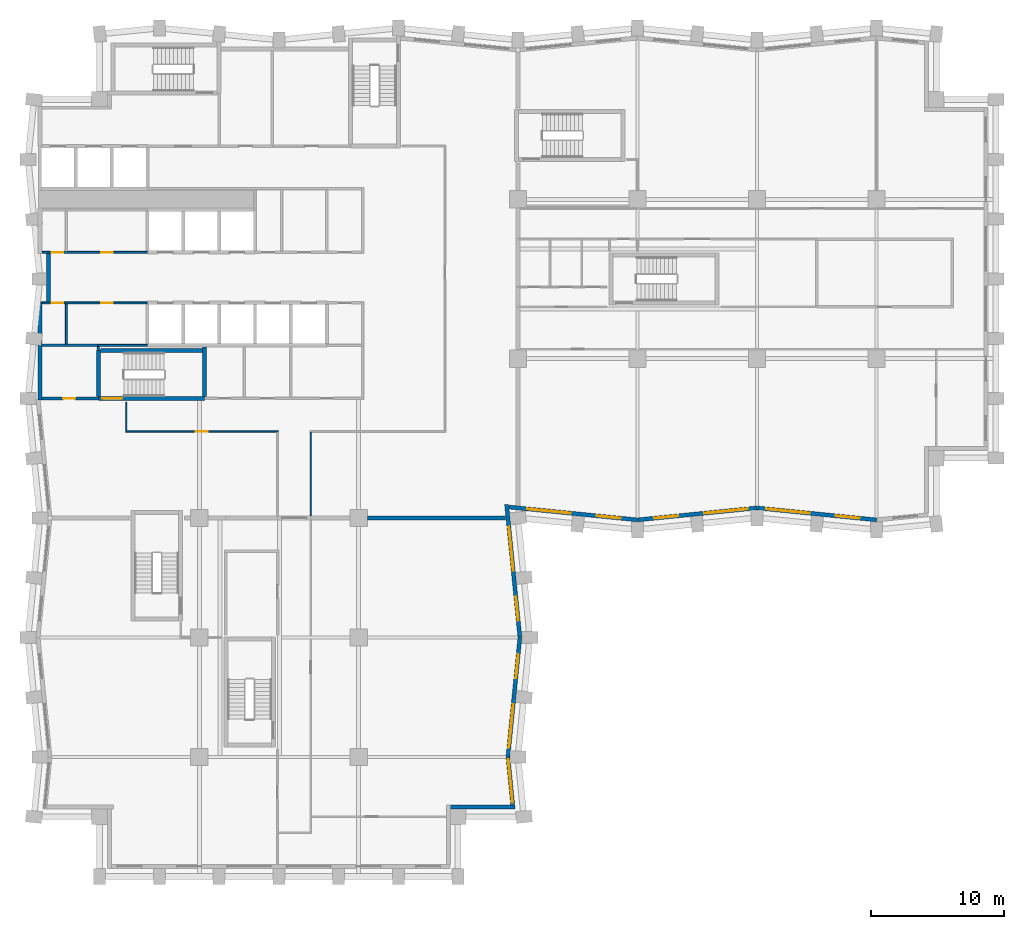
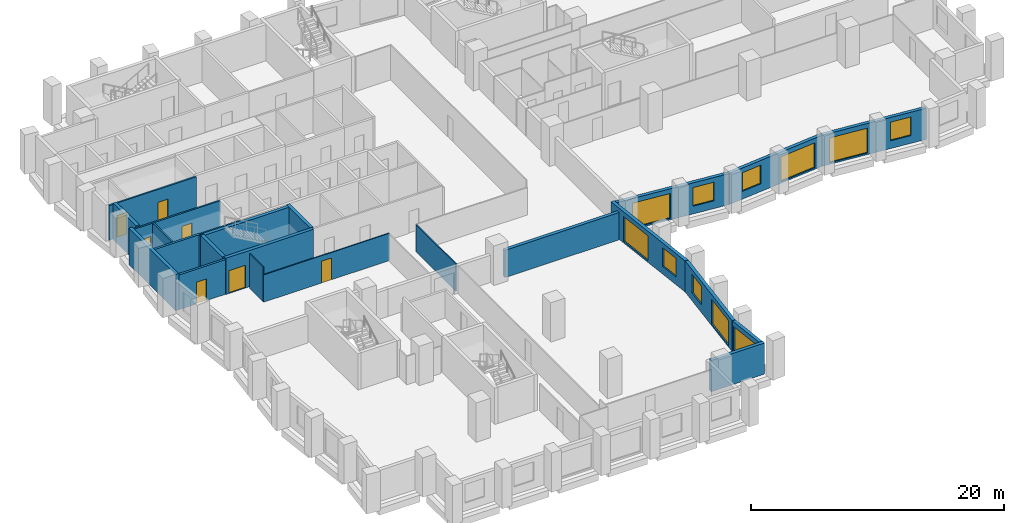
# One storey, part 4 of 11: 24 walls, 11 windows, 7 doors, 18 openings.
"""IFC4 building model written with IfcOpenShell, lengths in metres."""

from ifc_helpers import new_model, si_unit, direction, frame, frame_2d, origin, place, context, subcontext, project, spatial, rectangle, extrude, material, layer, layer_set, type_object, element, fill, save


model = new_model("IFC4")

# Units and contexts
model_context = context("Model", 3, precision=1e-05, world=origin(), true_north=direction((0.0, 1.0)))
body_context = subcontext(model_context, "Body", "Model", "MODEL_VIEW")
ifc_project = project(units=[si_unit("LENGTHUNIT", "METRE"), si_unit("AREAUNIT", "SQUARE_METRE"), si_unit("VOLUMEUNIT", "CUBIC_METRE"), si_unit("PLANEANGLEUNIT", "RADIAN"), si_unit("MASSUNIT", "GRAM", prefix="KILO")], contexts=[model_context])

# Site, building, storey
site_placement = place(None, origin())
site = spatial("IfcSite", under=ifc_project, at=site_placement, CompositionType="ELEMENT")
building_placement = place(site_placement, origin())
building = spatial("IfcBuilding", under=site, at=building_placement, Name="Brondeck Convention Tower", CompositionType="ELEMENT")
storey_placement = place(building_placement, frame((0.0, 0.0, 134.10009765625)))
storey = spatial("IfcBuildingStorey", under=building, at=storey_placement, Name="L32", CompositionType="ELEMENT", Elevation=134.10009765625)

# Walls
ifc_material_1 = material(Name="Concrete compartment wall C30/37", Category="concrete")
ifc_layer_1 = layer(ifc_material_1, 0.300048828125)
ifc_layer_set_1 = layer_set([ifc_layer_1], Name="Compartment wall 300")
wall_type_1 = type_object("IfcWallType", Name="Compartment wall 300", PredefinedType="PARTITIONING", material=ifc_layer_set_1)
wall_1_placement = place(storey_placement, frame((24.655029296875, 27.0, 0.0), z_axis=(0.0, 0.0, 1.0), x_axis=(1.0, 0.0, 0.0)))
element("IfcWall", 1, at=wall_1_placement, inside=storey, type_object=wall_type_1, Name="FLR-L32-W019", PredefinedType="PARTITIONING", context=body_context, shape_type="SweptSolid", body=[
    extrude(rectangle(XDim=10.42041015625, YDim=0.300048828125, at=frame_2d((5.210205078125, 0.0))), origin(), (0.0, 0.0, 1.0), 2.6298828125),
])
ifc_material_2 = material(Name="Concrete C70/85", Category="concrete")
ifc_layer_2 = layer(ifc_material_2, 0.300048828125)
ifc_layer_set_2 = layer_set([ifc_layer_2], Name="Core outer wall 300 Concrete C70/85")
wall_type_2 = type_object("IfcWallType", Name="Core outer wall 300 Concrete C70/85", PredefinedType="SHEAR", material=ifc_layer_set_2)
wall_2_placement = place(storey_placement, frame((0.0, 35.89990234375, 0.0), z_axis=(0.0, 0.0, 1.0), x_axis=(0.0, 1.0, 0.0)))
element("IfcWall", 2, at=wall_2_placement, inside=storey, type_object=wall_type_2, Name="L32 core wall", PredefinedType="SHEAR", context=body_context, shape_type="SweptSolid", body=[
    extrude(rectangle(XDim=7.375, YDim=0.300048828125, at=frame_2d((3.6875, 0.0))), origin(), (0.0, 0.0, 1.0), 3.5),
])
wall_3_placement = place(storey_placement, frame((0.64990234375, 43.27490234375, 0.0), z_axis=(0.0, 0.0, 1.0), x_axis=(0.0, 1.0, 0.0)))
element("IfcWall", 3, at=wall_3_placement, inside=storey, type_object=wall_type_2, Name="L32 core wall", PredefinedType="SHEAR", context=body_context, shape_type="SweptSolid", body=[
    extrude(rectangle(XDim=3.650146484375, YDim=0.300048828125, at=frame_2d((1.8251953125, 0.0))), origin(), (0.0, 0.0, 1.0), 3.5),
])
ifc_material_3 = material(Name="Fire-rated gypsum board partition")
ifc_layer_3 = layer(ifc_material_3, 0.14990234375)
ifc_layer_set_3 = layer_set([ifc_layer_3], Name="Core partition 150 EI 60")
wall_type_3 = type_object("IfcWallType", Name="Core partition 150 EI 60", PredefinedType="PARTITIONING", material=ifc_layer_set_3)
wall_4_placement = place(storey_placement, frame((4.39990234375, 40.0, 0.0), z_axis=(0.0, 0.0, 1.0), x_axis=(1.0, 0.0, 0.0)))
element("IfcWall", 4, at=wall_4_placement, inside=storey, type_object=wall_type_3, Name="L32 core wall", PredefinedType="PARTITIONING", context=body_context, shape_type="SweptSolid", body=[
    extrude(rectangle(XDim=3.7001953125, YDim=0.14990234375, at=frame_2d((1.85009765625, 0.0))), origin(), (0.0, 0.0, 1.0), 3.349853515625),
])

# Wall, openings, doors
wall_5_placement = place(storey_placement, frame((0.14990234375, 43.199951171875, 0.0), z_axis=(0.0, 0.0, 1.0), x_axis=(1.0, 0.0, 0.0)))
wall_5 = element("IfcWall", 5, at=wall_5_placement, inside=storey, type_object=wall_type_3, Name="L32 core wall", PredefinedType="PARTITIONING", context=body_context, shape_type="SweptSolid", body=[
    extrude(rectangle(XDim=7.9501953125, YDim=0.14990234375, at=frame_2d((3.97509765625, 0.0))), origin(), (0.0, 0.0, 1.0), 3.349853515625),
])
opening_1_placement = place(wall_5_placement, frame((0.72509765625, 0.0, 0.0)))
opening_1 = element("IfcOpeningElement", 6, at=opening_1_placement, cuts=wall_5, Name="Opening C18-11", PredefinedType="OPENING", context=body_context, shape_type="SweptSolid", body=[
    extrude(rectangle(XDim=0.89990234375, YDim=2.10009765625, at=frame_2d((0.449951171875, 1.050048828125))), frame((0.0, 0.0849609375, 0.0), z_axis=(0.0, -1.0, 0.0), x_axis=(1.0, 0.0, 0.0)), (0.0, 0.0, 1.0), 0.169921875),
])
opening_2_placement = place(wall_5_placement, frame((4.449951171875, 0.0, 0.0)))
opening_2 = element("IfcOpeningElement", 7, at=opening_2_placement, cuts=wall_5, Name="Opening C18-12", PredefinedType="OPENING", context=body_context, shape_type="SweptSolid", body=[
    extrude(rectangle(XDim=0.89990234375, YDim=2.10009765625, at=frame_2d((0.449951171875, 1.050048828125))), frame((0.0, 0.0849609375, 0.0), z_axis=(0.0, -1.0, 0.0), x_axis=(1.0, 0.0, 0.0)), (0.0, 0.0, 1.0), 0.169921875),
])
ifc_material_4 = material(Name="Steel fire door", Category="steel")
door_type_1 = type_object("IfcDoorType", Name="Room door 900x2100 EI 60", OperationType="NOTDEFINED", PredefinedType="DOOR", material=ifc_material_4)
door_1_placement = place(opening_1_placement, origin())
door_1 = element("IfcDoor", 8, at=door_1_placement, inside=storey, type_object=door_type_1, Name="L32 Room door FZ-S-0-1", OperationType="SINGLE_SWING_LEFT", OverallHeight=2.10009765625, OverallWidth=0.89990234375, PredefinedType="DOOR", context=body_context, shape_type="SweptSolid", body=[
    extrude(rectangle(XDim=0.89990234375, YDim=2.10009765625, at=frame_2d((0.449951171875, 1.050048828125))), frame((0.0, 0.02490234375, 0.0), z_axis=(0.0, -1.0, 0.0), x_axis=(1.0, 0.0, 0.0)), (0.0, 0.0, 1.0), 0.050048828125),
])
fill(opening_1, door_1)
door_2_placement = place(opening_2_placement, origin())
door_2 = element("IfcDoor", 9, at=door_2_placement, inside=storey, type_object=door_type_1, Name="L32 Room door FZ-S-0-2", OperationType="SINGLE_SWING_RIGHT", OverallHeight=2.10009765625, OverallWidth=0.89990234375, PredefinedType="DOOR", context=body_context, shape_type="SweptSolid", body=[
    extrude(rectangle(XDim=0.89990234375, YDim=2.10009765625, at=frame_2d((0.449951171875, 1.050048828125))), frame((0.0, 0.02490234375, 0.0), z_axis=(0.0, -1.0, 0.0), x_axis=(1.0, 0.0, 0.0)), (0.0, 0.0, 1.0), 0.050048828125),
])
fill(opening_2, door_2)

wall_6_placement = place(storey_placement, frame((0.14990234375, 47.0, 0.0), z_axis=(0.0, 0.0, 1.0), x_axis=(1.0, 0.0, 0.0)))
wall_6 = element("IfcWall", 10, at=wall_6_placement, inside=storey, type_object=wall_type_3, Name="L32 core wall", PredefinedType="PARTITIONING", context=body_context, shape_type="SweptSolid", body=[
    extrude(rectangle(XDim=7.9501953125, YDim=0.14990234375, at=frame_2d((3.97509765625, 0.0))), origin(), (0.0, 0.0, 1.0), 3.349853515625),
])
opening_3_placement = place(wall_6_placement, frame((0.72509765625, 0.0, 0.0)))
opening_3 = element("IfcOpeningElement", 11, at=opening_3_placement, cuts=wall_6, Name="Opening C18-07", PredefinedType="OPENING", context=body_context, shape_type="SweptSolid", body=[
    extrude(rectangle(XDim=0.89990234375, YDim=2.10009765625, at=frame_2d((0.449951171875, 1.050048828125))), frame((0.0, 0.0849609375, 0.0), z_axis=(0.0, -1.0, 0.0), x_axis=(1.0, 0.0, 0.0)), (0.0, 0.0, 1.0), 0.169921875),
])
opening_4_placement = place(wall_6_placement, frame((4.449951171875, 0.0, 0.0)))
opening_4 = element("IfcOpeningElement", 12, at=opening_4_placement, cuts=wall_6, Name="Opening C18-08", PredefinedType="OPENING", context=body_context, shape_type="SweptSolid", body=[
    extrude(rectangle(XDim=0.89990234375, YDim=2.10009765625, at=frame_2d((0.449951171875, 1.050048828125))), frame((0.0, 0.0849609375, 0.0), z_axis=(0.0, -1.0, 0.0), x_axis=(1.0, 0.0, 0.0)), (0.0, 0.0, 1.0), 0.169921875),
])
door_3_placement = place(opening_3_placement, origin())
door_3 = element("IfcDoor", 13, at=door_3_placement, inside=storey, type_object=door_type_1, Name="L32 Room door FZ-N-0-1", OperationType="SINGLE_SWING_RIGHT", OverallHeight=2.10009765625, OverallWidth=0.89990234375, PredefinedType="DOOR", context=body_context, shape_type="SweptSolid", body=[
    extrude(rectangle(XDim=0.89990234375, YDim=2.10009765625, at=frame_2d((0.449951171875, 1.050048828125))), frame((0.0, 0.02490234375, 0.0), z_axis=(0.0, -1.0, 0.0), x_axis=(1.0, 0.0, 0.0)), (0.0, 0.0, 1.0), 0.050048828125),
])
fill(opening_3, door_3)
door_4_placement = place(opening_4_placement, origin())
door_4 = element("IfcDoor", 14, at=door_4_placement, inside=storey, type_object=door_type_1, Name="L32 Room door FZ-N-0-2", OperationType="SINGLE_SWING_LEFT", OverallHeight=2.10009765625, OverallWidth=0.89990234375, PredefinedType="DOOR", context=body_context, shape_type="SweptSolid", body=[
    extrude(rectangle(XDim=0.89990234375, YDim=2.10009765625, at=frame_2d((0.449951171875, 1.050048828125))), frame((0.0, 0.02490234375, 0.0), z_axis=(0.0, -1.0, 0.0), x_axis=(1.0, 0.0, 0.0)), (0.0, 0.0, 1.0), 0.050048828125),
])
fill(opening_4, door_4)

# Walls
wall_7_placement = place(storey_placement, frame((2.0, 40.10009765625, 0.0), z_axis=(0.0, 0.0, 1.0), x_axis=(0.0, 1.0, 0.0)))
element("IfcWall", 15, at=wall_7_placement, inside=storey, type_object=wall_type_3, Name="L32 core wall", PredefinedType="PARTITIONING", context=body_context, shape_type="SweptSolid", body=[
    extrude(rectangle(XDim=3.02490234375, YDim=0.14990234375, at=frame_2d((1.512451171875, 0.0))), origin(), (0.0, 0.0, 1.0), 3.349853515625),
])
ifc_material_5 = material(Name="Precast concrete C50/60 bronze finish", Category="concrete")
ifc_layer_4 = layer(ifc_material_5, 0.070068359375, Name="Bronze precast facing")
ifc_material_6 = material(Name="Mineral wool")
ifc_layer_5 = layer(ifc_material_6, 0.159912109375, Name="Insulation")
ifc_material_7 = material(Name="Concrete C35/45", Category="concrete")
ifc_layer_6 = layer(ifc_material_7, 0.070068359375, Name="Backing")
ifc_layer_set_4 = layer_set([ifc_layer_4, ifc_layer_5, ifc_layer_6], Name="External infill wall, precast concrete C50/60 bronze facing")
wall_type_4 = type_object("IfcWallType", Name="External infill wall, precast concrete C50/60 bronze facing", PredefinedType="SOLIDWALL", material=ifc_layer_set_4)
wall_8_placement = place(storey_placement, frame((35.787109375, 5.25, 0.0), z_axis=(0.0, 0.0, 1.0), x_axis=(-1.0, 0.0, 0.0)))
element("IfcWall", 16, at=wall_8_placement, inside=storey, type_object=wall_type_4, Name="ENV-EW-L32-P0-NC-SEB0-02", PredefinedType="SOLIDWALL", context=body_context, shape_type="SweptSolid", body=[
    extrude(rectangle(XDim=4.88720703125, YDim=0.300048828125, at=frame_2d((2.443603515625, 0.0))), origin(), (0.0, 0.0, 1.0), 3.0),
])

# Wall, opening, window
wall_9_placement = place(storey_placement, frame((35.244873046875, 9.014892578125, 0.0), z_axis=(0.0, 0.0, 1.0), x_axis=(0.099470401798, -0.995040521369, 0.0)))
wall_9 = element("IfcWall", 17, at=wall_9_placement, inside=storey, type_object=wall_type_4, Name="ENV-EW-L32-P0-B-E-04", PredefinedType="SOLIDWALL", context=body_context, shape_type="SweptSolid", body=[
    extrude(rectangle(XDim=3.627685546875, YDim=0.300048828125, at=frame_2d((1.81396484375, 0.0))), origin(), (0.0, 0.0, 1.0), 3.0),
])
opening_5_placement = place(wall_9_placement, frame((0.177734375, 0.0, 0.14990234375)))
opening_5 = element("IfcOpeningElement", 18, at=opening_5_placement, cuts=wall_9, Name="Opening W9", PredefinedType="OPENING", context=body_context, shape_type="SweptSolid", body=[
    extrude(rectangle(XDim=3.300048828125, YDim=2.39990234375, at=frame_2d((1.64990234375, 1.199951171875))), frame((0.0, 0.159912109375, 0.0), z_axis=(0.0, -1.0, 0.0), x_axis=(1.0, 0.0, 0.0)), (0.0, 0.0, 1.0), 0.320068359375),
])
ifc_material_8 = material(Name="Bronze tinted double glazing", Category="glass")
window_type_1 = type_object("IfcWindowType", Name="Glazed flute window, bronze tinted", PartitioningType="SINGLE_PANEL", PredefinedType="WINDOW", material=ifc_material_8)
window_1_placement = place(opening_5_placement, origin())
window_1 = element("IfcWindow", 19, at=window_1_placement, inside=storey, type_object=window_type_1, Name="ENV-WN-L32-P0-B-E-04", OverallHeight=2.39990234375, OverallWidth=3.300048828125, PartitioningType="SINGLE_PANEL", PredefinedType="WINDOW", context=body_context, shape_type="SweptSolid", body=[
    extrude(rectangle(XDim=3.300048828125, YDim=2.39990234375, at=frame_2d((1.64990234375, 1.199951171875))), frame((0.0, 0.030029296875, 0.0), z_axis=(0.0, -1.0, 0.0), x_axis=(1.0, 0.0, 0.0)), (0.0, 0.0, 1.0), 0.06005859375),
])
fill(opening_5, window_1)

# Wall, openings, windows
wall_10_placement = place(storey_placement, frame((36.147705078125, 18.014892578125, 0.0), z_axis=(0.0, 0.0, 1.0), x_axis=(-0.099495688264, -0.995037993253, 0.0)))
wall_10 = element("IfcWall", 20, at=wall_10_placement, inside=storey, type_object=wall_type_4, Name="ENV-EW-L32-P0-B-E-03", PredefinedType="SOLIDWALL", context=body_context, shape_type="SweptSolid", body=[
    extrude(rectangle(XDim=9.030029296875, YDim=0.300048828125, at=frame_2d((4.51513671875, 0.0))), origin(), (0.0, 0.0, 1.0), 3.0),
])
opening_6_placement = place(wall_10_placement, frame((1.30126953125, 0.0, 0.75)))
opening_6 = element("IfcOpeningElement", 21, at=opening_6_placement, cuts=wall_10, Name="Opening W10", PredefinedType="OPENING", context=body_context, shape_type="SweptSolid", body=[
    extrude(rectangle(XDim=1.800048828125, YDim=1.800048828125, at=frame_2d((0.89990234375, 0.89990234375))), frame((0.0, 0.159912109375, 0.0), z_axis=(0.0, -1.0, 0.0), x_axis=(1.0, 0.0, 0.0)), (0.0, 0.0, 1.0), 0.320068359375),
])
opening_7_placement = place(wall_10_placement, frame((5.073486328125, 0.0, 0.14990234375)))
opening_7 = element("IfcOpeningElement", 22, at=opening_7_placement, cuts=wall_10, Name="Opening W9", PredefinedType="OPENING", context=body_context, shape_type="SweptSolid", body=[
    extrude(rectangle(XDim=3.300048828125, YDim=2.39990234375, at=frame_2d((1.64990234375, 1.199951171875))), frame((0.0, 0.159912109375, 0.0), z_axis=(0.0, -1.0, 0.0), x_axis=(1.0, 0.0, 0.0)), (0.0, 0.0, 1.0), 0.320068359375),
])
window_2_placement = place(opening_7_placement, origin())
window_2 = element("IfcWindow", 23, at=window_2_placement, inside=storey, type_object=window_type_1, Name="ENV-WN-L32-P0-B-E-03", OverallHeight=2.39990234375, OverallWidth=3.300048828125, PartitioningType="SINGLE_PANEL", PredefinedType="WINDOW", context=body_context, shape_type="SweptSolid", body=[
    extrude(rectangle(XDim=3.300048828125, YDim=2.39990234375, at=frame_2d((1.64990234375, 1.199951171875))), frame((0.0, 0.030029296875, 0.0), z_axis=(0.0, -1.0, 0.0), x_axis=(1.0, 0.0, 0.0)), (0.0, 0.0, 1.0), 0.06005859375),
])
fill(opening_7, window_2)
window_type_2 = type_object("IfcWindowType", Name="Punched window, bronze tinted", PartitioningType="SINGLE_PANEL", PredefinedType="WINDOW", material=ifc_material_8)
window_3_placement = place(opening_6_placement, origin())
window_3 = element("IfcWindow", 24, at=window_3_placement, inside=storey, type_object=window_type_2, Name="ENV-WN-L32-P0-B-E-02", OverallHeight=1.800048828125, OverallWidth=1.800048828125, PartitioningType="SINGLE_PANEL", PredefinedType="WINDOW", context=body_context, shape_type="SweptSolid", body=[
    extrude(rectangle(XDim=1.800048828125, YDim=1.800048828125, at=frame_2d((0.89990234375, 0.89990234375))), frame((0.0, 0.030029296875, 0.0), z_axis=(0.0, -1.0, 0.0), x_axis=(1.0, 0.0, 0.0)), (0.0, 0.0, 1.0), 0.06005859375),
])
fill(opening_6, window_3)

wall_11_placement = place(storey_placement, frame((35.144287109375, 28.02001953125, 0.0), z_axis=(0.0, 0.0, 1.0), x_axis=(0.099503719021, -0.99503719021, 0.0)))
wall_11 = element("IfcWall", 25, at=wall_11_placement, inside=storey, type_object=wall_type_4, Name="ENV-EW-L32-P0-B-E-01", PredefinedType="SOLIDWALL", context=body_context, shape_type="SweptSolid", body=[
    extrude(rectangle(XDim=10.0400390625, YDim=0.300048828125, at=frame_2d((5.02001953125, 0.0))), origin(), (0.0, 0.0, 1.0), 3.0),
])
opening_8_placement = place(wall_11_placement, frame((1.711181640625, 0.0, 0.14990234375)))
opening_8 = element("IfcOpeningElement", 26, at=opening_8_placement, cuts=wall_11, Name="Opening W9", PredefinedType="OPENING", context=body_context, shape_type="SweptSolid", body=[
    extrude(rectangle(XDim=3.300048828125, YDim=2.39990234375, at=frame_2d((1.64990234375, 1.199951171875))), frame((0.0, 0.159912109375, 0.0), z_axis=(0.0, -1.0, 0.0), x_axis=(1.0, 0.0, 0.0)), (0.0, 0.0, 1.0), 0.320068359375),
])
opening_9_placement = place(wall_11_placement, frame((6.983642578125, 0.0, 0.75)))
opening_9 = element("IfcOpeningElement", 27, at=opening_9_placement, cuts=wall_11, Name="Opening W10", PredefinedType="OPENING", context=body_context, shape_type="SweptSolid", body=[
    extrude(rectangle(XDim=1.800048828125, YDim=1.800048828125, at=frame_2d((0.89990234375, 0.89990234375))), frame((0.0, 0.159912109375, 0.0), z_axis=(0.0, -1.0, 0.0), x_axis=(1.0, 0.0, 0.0)), (0.0, 0.0, 1.0), 0.320068359375),
])
window_4_placement = place(opening_8_placement, origin())
window_4 = element("IfcWindow", 28, at=window_4_placement, inside=storey, type_object=window_type_1, Name="ENV-WN-L32-P0-B-E-00", OverallHeight=2.39990234375, OverallWidth=3.300048828125, PartitioningType="SINGLE_PANEL", PredefinedType="WINDOW", context=body_context, shape_type="SweptSolid", body=[
    extrude(rectangle(XDim=3.300048828125, YDim=2.39990234375, at=frame_2d((1.64990234375, 1.199951171875))), frame((0.0, 0.030029296875, 0.0), z_axis=(0.0, -1.0, 0.0), x_axis=(1.0, 0.0, 0.0)), (0.0, 0.0, 1.0), 0.06005859375),
])
fill(opening_8, window_4)
window_5_placement = place(opening_9_placement, origin())
window_5 = element("IfcWindow", 29, at=window_5_placement, inside=storey, type_object=window_type_2, Name="ENV-WN-L32-P0-B-E-01", OverallHeight=1.800048828125, OverallWidth=1.800048828125, PartitioningType="SINGLE_PANEL", PredefinedType="WINDOW", context=body_context, shape_type="SweptSolid", body=[
    extrude(rectangle(XDim=1.800048828125, YDim=1.800048828125, at=frame_2d((0.89990234375, 0.89990234375))), frame((0.0, 0.030029296875, 0.0), z_axis=(0.0, -1.0, 0.0), x_axis=(1.0, 0.0, 0.0)), (0.0, 0.0, 1.0), 0.06005859375),
])
fill(opening_9, window_5)

wall_12_placement = place(storey_placement, frame((45.014892578125, 26.852294921875, 0.0), z_axis=(0.0, 0.0, 1.0), x_axis=(-0.995037438546, 0.099501235631, 0.0)))
wall_12 = element("IfcWall", 30, at=wall_12_placement, inside=storey, type_object=wall_type_4, Name="ENV-EW-L32-P0-A-S-00", PredefinedType="SOLIDWALL", context=body_context, shape_type="SweptSolid", body=[
    extrude(rectangle(XDim=9.733642578125, YDim=0.300048828125, at=frame_2d((4.86669921875, 0.0))), origin(), (0.0, 0.0, 1.0), 3.0),
])
opening_10_placement = place(wall_12_placement, frame((1.30126953125, 0.0, 0.75)))
opening_10 = element("IfcOpeningElement", 31, at=opening_10_placement, cuts=wall_12, Name="Opening W10", PredefinedType="OPENING", context=body_context, shape_type="SweptSolid", body=[
    extrude(rectangle(XDim=1.800048828125, YDim=1.800048828125, at=frame_2d((0.89990234375, 0.89990234375))), frame((0.0, 0.159912109375, 0.0), z_axis=(0.0, -1.0, 0.0), x_axis=(1.0, 0.0, 0.0)), (0.0, 0.0, 1.0), 0.320068359375),
])
opening_11_placement = place(wall_12_placement, frame((5.073486328125, 0.0, 0.14990234375)))
opening_11 = element("IfcOpeningElement", 32, at=opening_11_placement, cuts=wall_12, Name="Opening W9", PredefinedType="OPENING", context=body_context, shape_type="SweptSolid", body=[
    extrude(rectangle(XDim=3.300048828125, YDim=2.39990234375, at=frame_2d((1.64990234375, 1.199951171875))), frame((0.0, 0.159912109375, 0.0), z_axis=(0.0, -1.0, 0.0), x_axis=(1.0, 0.0, 0.0)), (0.0, 0.0, 1.0), 0.320068359375),
])
window_6_placement = place(opening_11_placement, origin())
window_6 = element("IfcWindow", 33, at=window_6_placement, inside=storey, type_object=window_type_1, Name="ENV-WN-L32-P0-A-S-00", OverallHeight=2.39990234375, OverallWidth=3.300048828125, PartitioningType="SINGLE_PANEL", PredefinedType="WINDOW", context=body_context, shape_type="SweptSolid", body=[
    extrude(rectangle(XDim=3.300048828125, YDim=2.39990234375, at=frame_2d((1.64990234375, 1.199951171875))), frame((0.0, 0.030029296875, 0.0), z_axis=(0.0, -1.0, 0.0), x_axis=(1.0, 0.0, 0.0)), (0.0, 0.0, 1.0), 0.06005859375),
])
fill(opening_11, window_6)
window_7_placement = place(opening_10_placement, origin())
window_7 = element("IfcWindow", 34, at=window_7_placement, inside=storey, type_object=window_type_2, Name="ENV-WN-L32-P0-A-S-01", OverallHeight=1.800048828125, OverallWidth=1.800048828125, PartitioningType="SINGLE_PANEL", PredefinedType="WINDOW", context=body_context, shape_type="SweptSolid", body=[
    extrude(rectangle(XDim=1.800048828125, YDim=1.800048828125, at=frame_2d((0.89990234375, 0.89990234375))), frame((0.0, 0.030029296875, 0.0), z_axis=(0.0, -1.0, 0.0), x_axis=(1.0, 0.0, 0.0)), (0.0, 0.0, 1.0), 0.06005859375),
])
fill(opening_10, window_7)

wall_13_placement = place(storey_placement, frame((54.014892578125, 27.755126953125, 0.0), z_axis=(0.0, 0.0, 1.0), x_axis=(-0.995037993253, -0.099495688264, 0.0)))
wall_13 = element("IfcWall", 35, at=wall_13_placement, inside=storey, type_object=wall_type_4, Name="ENV-EW-L32-P0-A-S-02", PredefinedType="SOLIDWALL", context=body_context, shape_type="SweptSolid", body=[
    extrude(rectangle(XDim=9.030029296875, YDim=0.300048828125, at=frame_2d((4.51513671875, 0.0))), origin(), (0.0, 0.0, 1.0), 3.0),
])
opening_12_placement = place(wall_13_placement, frame((0.701171875, 0.0, 0.14990234375)))
opening_12 = element("IfcOpeningElement", 36, at=opening_12_placement, cuts=wall_13, Name="Opening W9", PredefinedType="OPENING", context=body_context, shape_type="SweptSolid", body=[
    extrude(rectangle(XDim=3.300048828125, YDim=2.39990234375, at=frame_2d((1.64990234375, 1.199951171875))), frame((0.0, 0.159912109375, 0.0), z_axis=(0.0, -1.0, 0.0), x_axis=(1.0, 0.0, 0.0)), (0.0, 0.0, 1.0), 0.320068359375),
])
opening_13_placement = place(wall_13_placement, frame((5.9736328125, 0.0, 0.75)))
opening_13 = element("IfcOpeningElement", 37, at=opening_13_placement, cuts=wall_13, Name="Opening W10", PredefinedType="OPENING", context=body_context, shape_type="SweptSolid", body=[
    extrude(rectangle(XDim=1.800048828125, YDim=1.800048828125, at=frame_2d((0.89990234375, 0.89990234375))), frame((0.0, 0.159912109375, 0.0), z_axis=(0.0, -1.0, 0.0), x_axis=(1.0, 0.0, 0.0)), (0.0, 0.0, 1.0), 0.320068359375),
])
window_8_placement = place(opening_12_placement, origin())
window_8 = element("IfcWindow", 38, at=window_8_placement, inside=storey, type_object=window_type_1, Name="ENV-WN-L32-P0-A-S-03", OverallHeight=2.39990234375, OverallWidth=3.300048828125, PartitioningType="SINGLE_PANEL", PredefinedType="WINDOW", context=body_context, shape_type="SweptSolid", body=[
    extrude(rectangle(XDim=3.300048828125, YDim=2.39990234375, at=frame_2d((1.64990234375, 1.199951171875))), frame((0.0, 0.030029296875, 0.0), z_axis=(0.0, -1.0, 0.0), x_axis=(1.0, 0.0, 0.0)), (0.0, 0.0, 1.0), 0.06005859375),
])
fill(opening_12, window_8)
window_9_placement = place(opening_13_placement, origin())
window_9 = element("IfcWindow", 39, at=window_9_placement, inside=storey, type_object=window_type_2, Name="ENV-WN-L32-P0-A-S-02", OverallHeight=1.800048828125, OverallWidth=1.800048828125, PartitioningType="SINGLE_PANEL", PredefinedType="WINDOW", context=body_context, shape_type="SweptSolid", body=[
    extrude(rectangle(XDim=1.800048828125, YDim=1.800048828125, at=frame_2d((0.89990234375, 0.89990234375))), frame((0.0, 0.030029296875, 0.0), z_axis=(0.0, -1.0, 0.0), x_axis=(1.0, 0.0, 0.0)), (0.0, 0.0, 1.0), 0.06005859375),
])
fill(opening_13, window_9)

wall_14_placement = place(storey_placement, frame((63.014892578125, 26.852294921875, 0.0), z_axis=(0.0, 0.0, 1.0), x_axis=(-0.995037993253, 0.099495688264, 0.0)))
wall_14 = element("IfcWall", 40, at=wall_14_placement, inside=storey, type_object=wall_type_4, Name="ENV-EW-L32-P0-A-S-04", PredefinedType="SOLIDWALL", context=body_context, shape_type="SweptSolid", body=[
    extrude(rectangle(XDim=9.030029296875, YDim=0.300048828125, at=frame_2d((4.51513671875, 0.0))), origin(), (0.0, 0.0, 1.0), 3.0),
])
opening_14_placement = place(wall_14_placement, frame((1.30126953125, 0.0, 0.75)))
opening_14 = element("IfcOpeningElement", 41, at=opening_14_placement, cuts=wall_14, Name="Opening W10", PredefinedType="OPENING", context=body_context, shape_type="SweptSolid", body=[
    extrude(rectangle(XDim=1.800048828125, YDim=1.800048828125, at=frame_2d((0.89990234375, 0.89990234375))), frame((0.0, 0.159912109375, 0.0), z_axis=(0.0, -1.0, 0.0), x_axis=(1.0, 0.0, 0.0)), (0.0, 0.0, 1.0), 0.320068359375),
])
opening_15_placement = place(wall_14_placement, frame((5.073486328125, 0.0, 0.14990234375)))
opening_15 = element("IfcOpeningElement", 42, at=opening_15_placement, cuts=wall_14, Name="Opening W9", PredefinedType="OPENING", context=body_context, shape_type="SweptSolid", body=[
    extrude(rectangle(XDim=3.300048828125, YDim=2.39990234375, at=frame_2d((1.64990234375, 1.199951171875))), frame((0.0, 0.159912109375, 0.0), z_axis=(0.0, -1.0, 0.0), x_axis=(1.0, 0.0, 0.0)), (0.0, 0.0, 1.0), 0.320068359375),
])
window_10_placement = place(opening_15_placement, origin())
window_10 = element("IfcWindow", 43, at=window_10_placement, inside=storey, type_object=window_type_1, Name="ENV-WN-L32-P0-A-S-04", OverallHeight=2.39990234375, OverallWidth=3.300048828125, PartitioningType="SINGLE_PANEL", PredefinedType="WINDOW", context=body_context, shape_type="SweptSolid", body=[
    extrude(rectangle(XDim=3.300048828125, YDim=2.39990234375, at=frame_2d((1.64990234375, 1.199951171875))), frame((0.0, 0.030029296875, 0.0), z_axis=(0.0, -1.0, 0.0), x_axis=(1.0, 0.0, 0.0)), (0.0, 0.0, 1.0), 0.06005859375),
])
fill(opening_15, window_10)
window_11_placement = place(opening_14_placement, origin())
window_11 = element("IfcWindow", 44, at=window_11_placement, inside=storey, type_object=window_type_2, Name="ENV-WN-L32-P0-A-S-05", OverallHeight=1.800048828125, OverallWidth=1.800048828125, PartitioningType="SINGLE_PANEL", PredefinedType="WINDOW", context=body_context, shape_type="SweptSolid", body=[
    extrude(rectangle(XDim=1.800048828125, YDim=1.800048828125, at=frame_2d((0.89990234375, 0.89990234375))), frame((0.0, 0.030029296875, 0.0), z_axis=(0.0, -1.0, 0.0), x_axis=(1.0, 0.0, 0.0)), (0.0, 0.0, 1.0), 0.06005859375),
])
fill(opening_14, window_11)

# Wall, opening, door
ifc_layer_7 = layer(ifc_material_3, 0.199951171875)
ifc_layer_set_5 = layer_set([ifc_layer_7], Name="Riser wall 200 EI 120")
wall_type_5 = type_object("IfcWallType", Name="Riser wall 200 EI 120", PredefinedType="PARTITIONING", material=ifc_layer_set_5)
wall_15_placement = place(storey_placement, frame((0.14990234375, 36.0, 0.0), z_axis=(0.0, 0.0, 1.0), x_axis=(1.0, 0.0, 0.0)))
wall_15 = element("IfcWall", 45, at=wall_15_placement, inside=storey, type_object=wall_type_5, Name="L32 core wall", PredefinedType="PARTITIONING", context=body_context, shape_type="SweptSolid", body=[
    extrude(rectangle(XDim=4.25, YDim=0.199951171875, at=frame_2d((2.125, 0.0))), origin(), (0.0, 0.0, 1.0), 3.349853515625),
])
opening_16_placement = place(wall_15_placement, frame((1.60009765625, 0.0, 0.0)))
opening_16 = element("IfcOpeningElement", 46, at=opening_16_placement, cuts=wall_15, Name="Opening C18-06", PredefinedType="OPENING", context=body_context, shape_type="SweptSolid", body=[
    extrude(rectangle(XDim=0.89990234375, YDim=2.10009765625, at=frame_2d((0.449951171875, 1.050048828125))), frame((0.0, 0.10986328125, 0.0), z_axis=(0.0, -1.0, 0.0), x_axis=(1.0, 0.0, 0.0)), (0.0, 0.0, 1.0), 0.219970703125),
])
door_type_2 = type_object("IfcDoorType", Name="Riser door 900x2100 EI 120", OperationType="NOTDEFINED", PredefinedType="DOOR", material=ifc_material_4)
door_5_placement = place(opening_16_placement, origin())
door_5 = element("IfcDoor", 47, at=door_5_placement, inside=storey, type_object=door_type_2, Name="L32 Riser door FRW-1", OperationType="SINGLE_SWING_LEFT", OverallHeight=2.10009765625, OverallWidth=0.89990234375, PredefinedType="DOOR", context=body_context, shape_type="SweptSolid", body=[
    extrude(rectangle(XDim=0.89990234375, YDim=2.10009765625, at=frame_2d((0.449951171875, 1.050048828125))), frame((0.0, 0.02490234375, 0.0), z_axis=(0.0, -1.0, 0.0), x_axis=(1.0, 0.0, 0.0)), (0.0, 0.0, 1.0), 0.050048828125),
])
fill(opening_16, door_5)

# Walls
wall_16_placement = place(storey_placement, frame((0.14990234375, 40.0, 0.0), z_axis=(0.0, 0.0, 1.0), x_axis=(1.0, 0.0, 0.0)))
element("IfcWall", 48, at=wall_16_placement, inside=storey, type_object=wall_type_5, Name="L32 core wall", PredefinedType="PARTITIONING", context=body_context, shape_type="SweptSolid", body=[
    extrude(rectangle(XDim=4.25, YDim=0.199951171875, at=frame_2d((2.125, 0.0))), origin(), (0.0, 0.0, 1.0), 3.349853515625),
])
wall_17_placement = place(storey_placement, frame((4.39990234375, 39.60009765625, 0.0), z_axis=(0.0, 0.0, 1.0), x_axis=(0.0, 1.0, 0.0)))
element("IfcWall", 49, at=wall_17_placement, inside=storey, type_object=wall_type_5, Name="L32 core wall", PredefinedType="PARTITIONING", context=body_context, shape_type="SweptSolid", body=[
    extrude(rectangle(XDim=0.2998046875, YDim=0.199951171875, at=frame_2d((0.14990234375, 0.0))), origin(), (0.0, 0.0, 1.0), 3.349853515625),
])
ifc_material_9 = material(Name="Gypsum board partition on steel studs", Category="steel")
ifc_layer_8 = layer(ifc_material_9, 0.10009765625)
ifc_layer_set_6 = layer_set([ifc_layer_8], Name="Room partition 100")
wall_type_6 = type_object("IfcWallType", Name="Room partition 100", PredefinedType="PARTITIONING", material=ifc_layer_set_6)
wall_18_placement = place(storey_placement, frame((20.39990234375, 33.449951171875, 0.0), z_axis=(0.0, 0.0, 1.0), x_axis=(0.0, -1.0, 0.0)))
element("IfcWall", 50, at=wall_18_placement, inside=storey, type_object=wall_type_6, Name="FLR-L32-W022", PredefinedType="PARTITIONING", context=body_context, shape_type="SweptSolid", body=[
    extrude(rectangle(XDim=6.280029296875, YDim=0.10009765625, at=frame_2d((3.14013671875, 0.0))), origin(), (0.0, 0.0, 1.0), 2.6298828125),
])

# Wall, opening, door
wall_19_placement = place(storey_placement, frame((17.949951171875, 33.5, 0.0), z_axis=(0.0, 0.0, 1.0), x_axis=(-1.0, 0.0, 0.0)))
wall_19 = element("IfcWall", 51, at=wall_19_placement, inside=storey, type_object=wall_type_6, Name="FLR-L32-W023", PredefinedType="PARTITIONING", context=body_context, shape_type="SweptSolid", body=[
    extrude(rectangle(XDim=11.5, YDim=0.10009765625, at=frame_2d((5.75, 0.0))), origin(), (0.0, 0.0, 1.0), 2.6298828125),
])
opening_17_placement = place(wall_19_placement, frame((5.300048828125, 0.0, 0.0)))
opening_17 = element("IfcOpeningElement", 52, at=opening_17_placement, cuts=wall_19, Name="Opening OF-E-016", PredefinedType="OPENING", context=body_context, shape_type="SweptSolid", body=[
    extrude(rectangle(XDim=0.89990234375, YDim=2.10009765625, at=frame_2d((0.449951171875, 1.050048828125))), frame((0.0, 0.06005859375, 0.0), z_axis=(0.0, -1.0, 0.0), x_axis=(1.0, 0.0, 0.0)), (0.0, 0.0, 1.0), 0.1201171875),
])
ifc_material_10 = material(Name="Solid timber door leaf", Category="wood")
door_type_3 = type_object("IfcDoorType", Name="Single door 900", OperationType="NOTDEFINED", PredefinedType="DOOR", material=ifc_material_10)
door_6_placement = place(opening_17_placement, origin())
door_6 = element("IfcDoor", 53, at=door_6_placement, inside=storey, type_object=door_type_3, Name="Door OF-E-016", OperationType="SINGLE_SWING_LEFT", OverallHeight=2.10009765625, OverallWidth=0.89990234375, PredefinedType="DOOR", context=body_context, shape_type="SweptSolid", body=[
    extrude(rectangle(XDim=0.89990234375, YDim=2.10009765625, at=frame_2d((0.449951171875, 1.050048828125))), frame((0.0, 0.02490234375, 0.0), z_axis=(0.0, -1.0, 0.0), x_axis=(1.0, 0.0, 0.0)), (0.0, 0.0, 1.0), 0.050048828125),
])
fill(opening_17, door_6)

# Wall
wall_20_placement = place(storey_placement, frame((6.5, 33.550048828125, 0.0), z_axis=(0.0, 0.0, 1.0), x_axis=(0.0, 1.0, 0.0)))
element("IfcWall", 54, at=wall_20_placement, inside=storey, type_object=wall_type_6, Name="FLR-L32-W025", PredefinedType="PARTITIONING", context=body_context, shape_type="SweptSolid", body=[
    extrude(rectangle(XDim=2.14990234375, YDim=0.10009765625, at=frame_2d((1.074951171875, 0.0))), origin(), (0.0, 0.0, 1.0), 3.329833984375),
])

# Wall, opening, door
ifc_layer_9 = layer(ifc_material_2, 0.300048828125)
ifc_layer_set_7 = layer_set([ifc_layer_9], Name="Stair enclosure wall 300 Concrete C70/85")
wall_type_7 = type_object("IfcWallType", Name="Stair enclosure wall 300 Concrete C70/85", PredefinedType="SHEAR", material=ifc_layer_set_7)
wall_21_placement = place(storey_placement, frame((4.39990234375, 36.0, 0.0), z_axis=(0.0, 0.0, 1.0), x_axis=(1.0, 0.0, 0.0)))
wall_21 = element("IfcWall", 55, at=wall_21_placement, inside=storey, type_object=wall_type_7, Name="L32 core wall", PredefinedType="SHEAR", context=body_context, shape_type="SweptSolid", body=[
    extrude(rectangle(XDim=8.0, YDim=0.300048828125, at=frame_2d((4.0, 0.0))), origin(), (0.0, 0.0, 1.0), 3.5),
])
opening_18_placement = place(wall_21_placement, frame((0.300048828125, 0.0, 0.0)))
opening_18 = element("IfcOpeningElement", 56, at=opening_18_placement, cuts=wall_21, Name="Opening C18-16", PredefinedType="OPENING", context=body_context, shape_type="SweptSolid", body=[
    extrude(rectangle(XDim=1.5, YDim=2.199951171875, at=frame_2d((0.75, 1.10009765625))), frame((0.0, 0.159912109375, 0.0), z_axis=(0.0, -1.0, 0.0), x_axis=(1.0, 0.0, 0.0)), (0.0, 0.0, 1.0), 0.320068359375),
])
door_type_4 = type_object("IfcDoorType", Name="Stair door 1500x2200 EI 90", OperationType="NOTDEFINED", PredefinedType="DOOR", material=ifc_material_4)
door_7_placement = place(opening_18_placement, origin())
door_7 = element("IfcDoor", 57, at=door_7_placement, inside=storey, type_object=door_type_4, Name="L32 Stair door ST-1", OperationType="SINGLE_SWING_RIGHT", OverallHeight=2.199951171875, OverallWidth=1.5, PredefinedType="DOOR", context=body_context, shape_type="SweptSolid", body=[
    extrude(rectangle(XDim=1.5, YDim=2.199951171875, at=frame_2d((0.75, 1.10009765625))), frame((0.0, 0.02490234375, 0.0), z_axis=(0.0, -1.0, 0.0), x_axis=(1.0, 0.0, 0.0)), (0.0, 0.0, 1.0), 0.050048828125),
])
fill(opening_18, door_7)

# Walls
wall_22_placement = place(storey_placement, frame((4.550048828125, 39.60009765625, 0.0), z_axis=(0.0, 0.0, 1.0), x_axis=(1.0, 0.0, 0.0)))
element("IfcWall", 58, at=wall_22_placement, inside=storey, type_object=wall_type_7, Name="L32 core wall", PredefinedType="SHEAR", context=body_context, shape_type="SweptSolid", body=[
    extrude(rectangle(XDim=7.699951171875, YDim=0.300048828125, at=frame_2d((3.85009765625, 0.0))), origin(), (0.0, 0.0, 1.0), 3.5),
])
wall_23_placement = place(storey_placement, frame((4.39990234375, 36.14990234375, 0.0), z_axis=(0.0, 0.0, 1.0), x_axis=(0.0, 1.0, 0.0)))
element("IfcWall", 59, at=wall_23_placement, inside=storey, type_object=wall_type_7, Name="L32 core wall", PredefinedType="SHEAR", context=body_context, shape_type="SweptSolid", body=[
    extrude(rectangle(XDim=3.4501953125, YDim=0.300048828125, at=frame_2d((1.72509765625, 0.0))), origin(), (0.0, 0.0, 1.0), 3.5),
])
wall_24_placement = place(storey_placement, frame((12.39990234375, 36.14990234375, 0.0), z_axis=(0.0, 0.0, 1.0), x_axis=(0.0, 1.0, 0.0)))
element("IfcWall", 60, at=wall_24_placement, inside=storey, type_object=wall_type_7, Name="L32 core wall", PredefinedType="SHEAR", context=body_context, shape_type="SweptSolid", body=[
    extrude(rectangle(XDim=3.72509765625, YDim=0.300048828125, at=frame_2d((1.862548828125, 0.0))), origin(), (0.0, 0.0, 1.0), 3.5),
])

save(model, "model.ifc")
